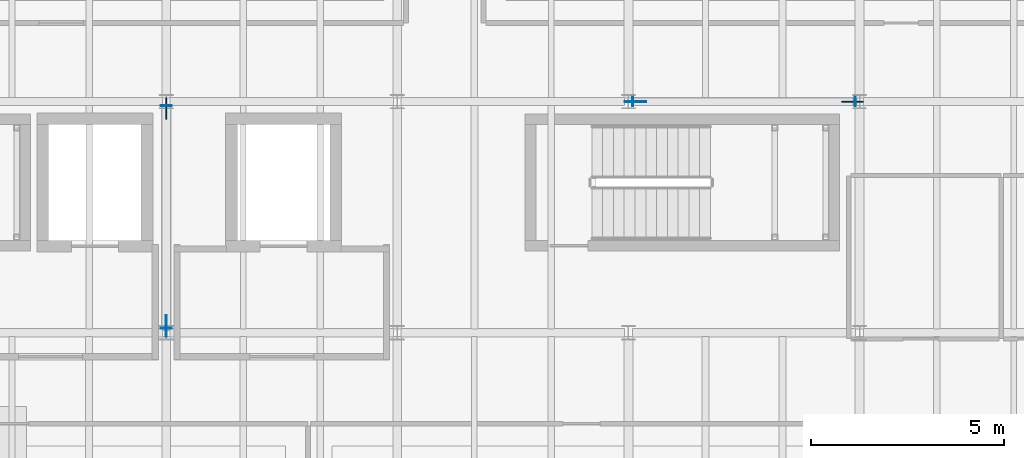
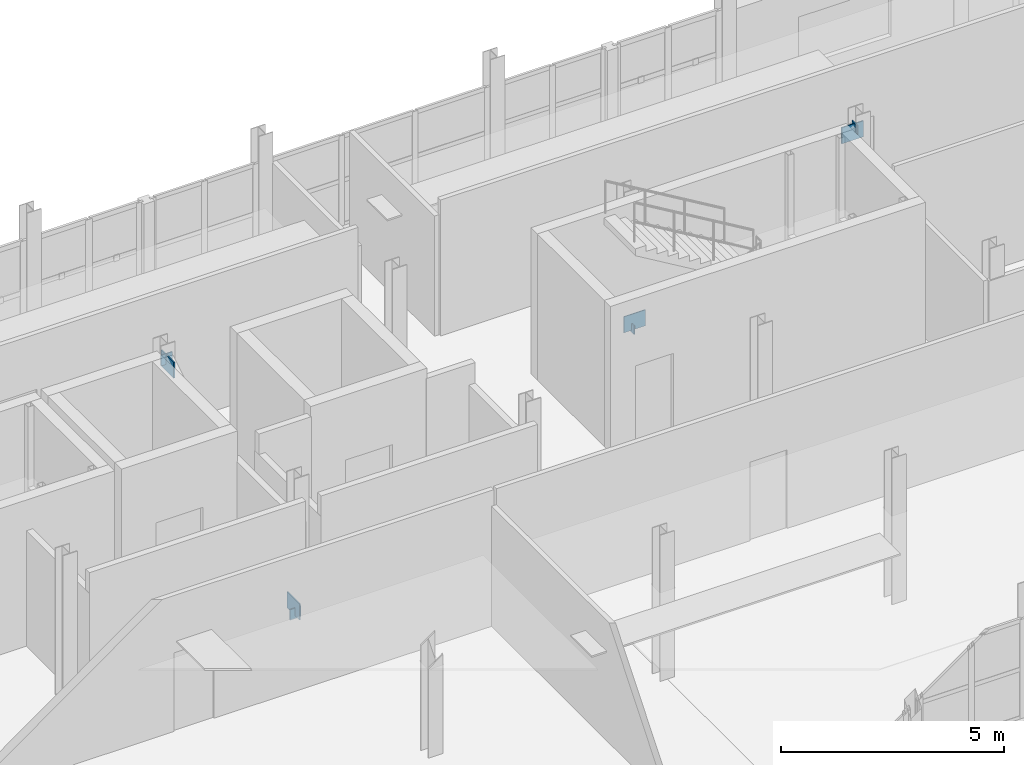
# One storey, part 62 of 92: 8 plates.
"""IFC4 building model written with IfcOpenShell, lengths in metres."""

from ifc_helpers import new_model, si_unit, direction, frame, origin, origin_2d, place, context, subcontext, project, spatial, rectangle, extrude, material, layer, layer_set, type_object, element, save


model = new_model("IFC4")

# Units and contexts
model_context = context("Model", 3, precision=1e-05, world=origin(), true_north=direction((0.0, 1.0)))
body_context = subcontext(model_context, "Body", "Model", "MODEL_VIEW")
ifc_project = project(units=[si_unit("LENGTHUNIT", "METRE"), si_unit("AREAUNIT", "SQUARE_METRE"), si_unit("VOLUMEUNIT", "CUBIC_METRE"), si_unit("PLANEANGLEUNIT", "RADIAN"), si_unit("MASSUNIT", "GRAM", prefix="KILO")], contexts=[model_context])

# Site, building, storey
site_placement = place(None, origin())
site = spatial("IfcSite", under=ifc_project, at=site_placement, CompositionType="ELEMENT")
building_placement = place(site_placement, origin())
building = spatial("IfcBuilding", under=site, at=building_placement, Name="Siltcreek Boulevard Central Fire Station", CompositionType="ELEMENT")
storey_placement = place(building_placement, frame((0.0, 0.0, 6.0)))
storey = spatial("IfcBuildingStorey", under=building, at=storey_placement, Name="L02", CompositionType="ELEMENT", Elevation=6.0)

# Plates
ifc_material = material(Name="Structural steel ASTM A572 Gr50", Category="steel")
ifc_layer_1 = layer(ifc_material, 0.02490234375, Name="Structural steel ASTM A572 Gr50")
ifc_layer_set_1 = layer_set([ifc_layer_1], Name="Structural steel ASTM A572 Gr50")
plate_type_1 = type_object("IfcPlateType", Name="PL_CAP25", PredefinedType="USERDEFINED", material=ifc_layer_set_1)
for number, where, z_axis, x_axis, name in (
    (1, (148.31103515625, 106.199951171875, -0.025390625), (0.0, 0.0, 1.0), (1.0, 0.0, 0.0), "L02 buckling-restrained brace BR-027 sealed end cap 1"),
    (2, (154.089111328125, 106.199951171875, 3.435546875), (0.0, 0.0, 1.0), (1.0, 0.0, 0.0), "L02 buckling-restrained brace BR-027 sealed end cap 2"),
):
    element("IfcPlate", number, at=place(storey_placement, frame(where, z_axis=z_axis, x_axis=x_axis)), inside=storey, type_object=plate_type_1, Name=name, ObjectType="END CAP", PredefinedType="USERDEFINED", context=body_context, shape_type="SweptSolid", body=[
        extrude(rectangle(XDim=0.02490234375, YDim=0.239990234375, at=origin_2d()), origin(), (0.0, 0.0, 1.0), 0.239990234375),
    ])
for number, where, z_axis, x_axis, name in (
    (3, (136.199951171875, 100.31103515625, -0.050537109375), (0.0, 0.0, 1.0), (0.0, 1.0, 0.0), "L02 buckling-restrained brace BR-033 sealed end cap 1"),
    (4, (136.199951171875, 106.089111328125, 3.410400390625), (0.0, 0.0, 1.0), (0.0, 1.0, 0.0), "L02 buckling-restrained brace BR-033 sealed end cap 2"),
):
    element("IfcPlate", number, at=place(storey_placement, frame(where, z_axis=z_axis, x_axis=x_axis)), inside=storey, type_object=plate_type_1, Name=name, ObjectType="END CAP", PredefinedType="USERDEFINED", context=body_context, shape_type="SweptSolid", body=[
        extrude(rectangle(XDim=0.02490234375, YDim=0.2900390625, at=origin_2d()), origin(), (0.0, 0.0, 1.0), 0.2900390625),
    ])
ifc_layer_2 = layer(ifc_material, 0.02197265625, Name="Structural steel ASTM A572 Gr50")
ifc_layer_set_2 = layer_set([ifc_layer_2], Name="Structural steel ASTM A572 Gr50")
plate_type_2 = type_object("IfcPlateType", Name="PL_GUS22", PredefinedType="USERDEFINED", material=ifc_layer_set_2)
for number, where, z_axis, x_axis, name in (
    (5, (148.3798828125, 106.199951171875, 0.030029296875), (0.0, 0.0, 1.0), (1.0, 0.0, 0.0), "Seismic brace bot gusset plate GP-087"),
    (6, (136.199951171875, 100.3798828125, 0.030029296875), (0.0, 0.0, 1.0), (0.0, 1.0, 0.0), "Seismic brace bot gusset plate GP-099"),
):
    element("IfcPlate", number, at=place(storey_placement, frame(where, z_axis=z_axis, x_axis=x_axis)), inside=storey, type_object=plate_type_2, Name=name, ObjectType="GUSSET PLATE", PredefinedType="USERDEFINED", context=body_context, shape_type="SweptSolid", body=[
        extrude(rectangle(XDim=0.56005859375, YDim=0.02197265625, at=origin_2d()), origin(), (0.0, 0.0, 1.0), 0.43994140625),
    ])
ifc_layer_3 = layer(ifc_material, 0.028076171875, Name="Structural steel ASTM A572 Gr50")
ifc_layer_set_3 = layer_set([ifc_layer_3], Name="Structural steel ASTM A572 Gr50")
plate_type_3 = type_object("IfcPlateType", Name="PL_GUS28", PredefinedType="USERDEFINED", material=ifc_layer_set_3)
for number, where, z_axis, x_axis, name in (
    (7, (154.02001953125, 106.199951171875, 3.22998046875), (0.0, 0.0, 1.0), (1.0, 0.0, 0.0), "Seismic brace top gusset plate GP-088"),
    (8, (136.199951171875, 106.02001953125, 3.22998046875), (0.0, 0.0, 1.0), (0.0, 1.0, 0.0), "Seismic brace top gusset plate GP-100"),
):
    element("IfcPlate", number, at=place(storey_placement, frame(where, z_axis=z_axis, x_axis=x_axis)), inside=storey, type_object=plate_type_3, Name=name, ObjectType="GUSSET PLATE", PredefinedType="USERDEFINED", context=body_context, shape_type="SweptSolid", body=[
        extrude(rectangle(XDim=0.56005859375, YDim=0.028076171875, at=origin_2d()), origin(), (0.0, 0.0, 1.0), 0.43994140625),
    ])

save(model, "model.ifc")
